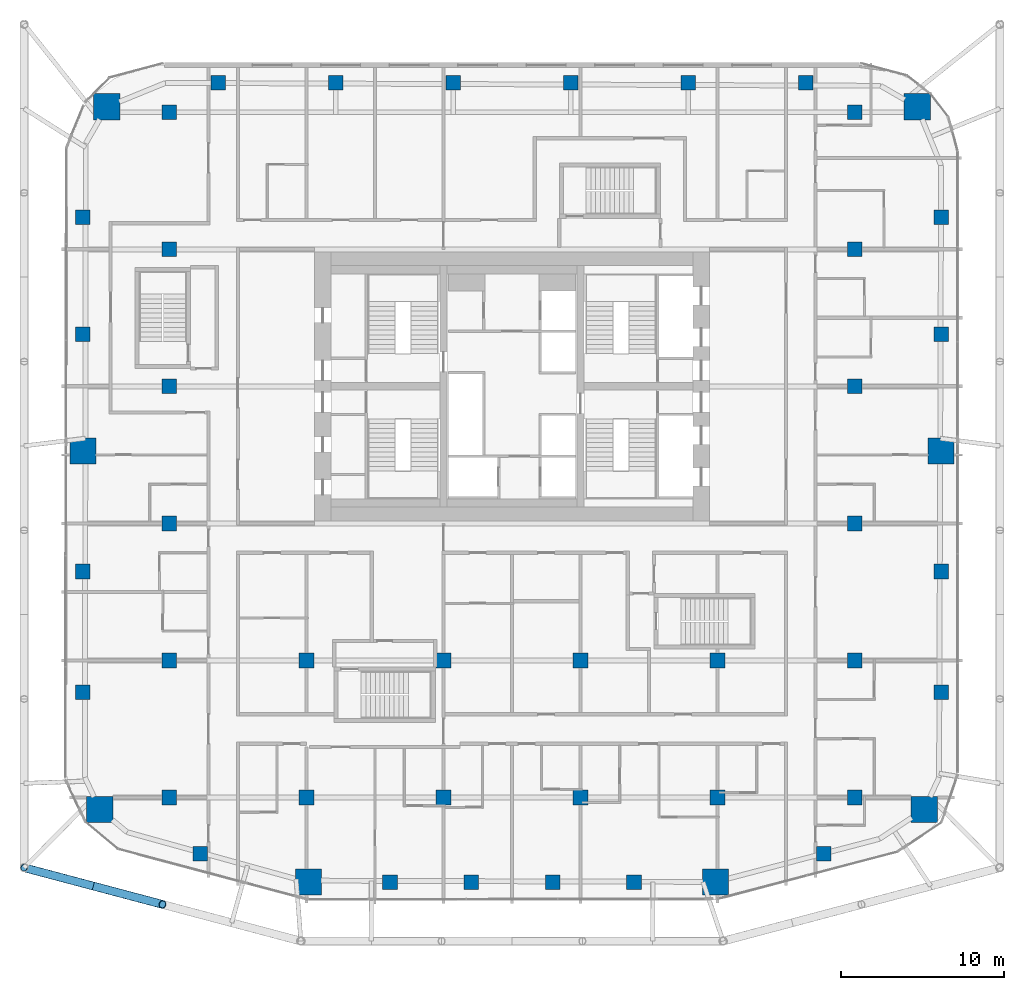
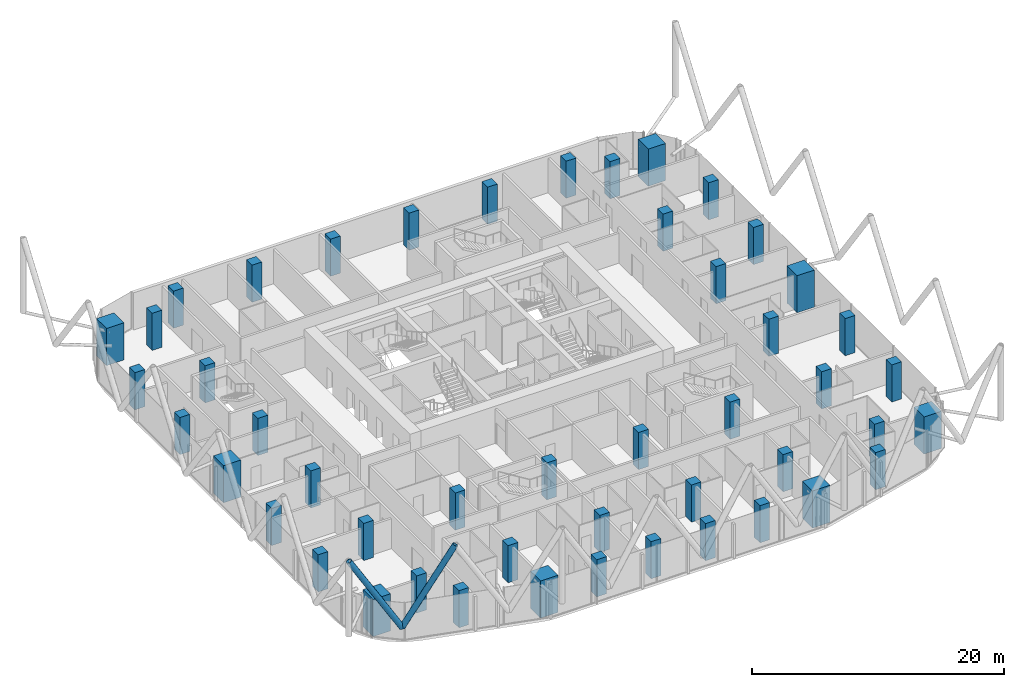
# One storey, part 1 of 36: 48 columns, 2 members.
"""IFC4 building model written with IfcOpenShell, lengths in metres."""

from ifc_helpers import new_model, si_unit, direction, frame, origin, origin_2d, place, context, subcontext, project, spatial, rectangle, hollow_circle, extrude, material, material_profile, profile_set, type_object, element, save


model = new_model("IFC4")

# Units and contexts
model_context = context("Model", 3, precision=1e-05, world=origin(), true_north=direction((0.0, 1.0)))
body_context = subcontext(model_context, "Body", "Model", "MODEL_VIEW")
ifc_project = project(units=[si_unit("LENGTHUNIT", "METRE"), si_unit("AREAUNIT", "SQUARE_METRE"), si_unit("VOLUMEUNIT", "CUBIC_METRE"), si_unit("PLANEANGLEUNIT", "RADIAN"), si_unit("MASSUNIT", "GRAM", prefix="KILO")], contexts=[model_context])

# Site, building, storey
site_placement = place(None, origin())
site = spatial("IfcSite", under=ifc_project, at=site_placement, CompositionType="ELEMENT")
building_placement = place(site_placement, origin())
building = spatial("IfcBuilding", under=site, at=building_placement, Name="Marenta Gate Hotel Tower", CompositionType="ELEMENT")
storey_placement = place(building_placement, frame((0.0, 0.0, 158.89990234375)))
storey = spatial("IfcBuildingStorey", under=building, at=storey_placement, Name="L37", CompositionType="ELEMENT", Elevation=158.89990234375)

# Columns
ifc_material_1 = material(Name="Concrete C70", Category="concrete")
ifc_material_profile_1 = material_profile(ifc_material_1, rectangle(XDim=0.89990234375, YDim=0.89990234375, at=origin_2d()), Name="900 x 900")
ifc_profile_set_1 = profile_set([ifc_material_profile_1], Name="Concrete C70")
column_type_1 = type_object("IfcColumnType", Name="Edge column 900 x 900 C70", PredefinedType="COLUMN", material=ifc_profile_set_1)
for number, where, z_axis, x_axis, name in (
    (1, (-26.300048828125, -10.351806640625, 0.0), (0.0, 0.0, 1.0), (1.0, 0.0, 0.0), "L37-EC-SW-W-1"),
    (2, (-26.300048828125, -2.950927734375, 0.0), (0.0, 0.0, 1.0), (1.0, 0.0, 0.0), "L37-EC-SW-W-2"),
    (3, (-26.300048828125, 11.603271484375, 0.0), (0.0, 0.0, 1.0), (1.0, 0.0, 0.0), "L37-EC-W-NW-1"),
    (4, (-26.300048828125, 18.75634765625, 0.0), (0.0, 0.0, 1.0), (1.0, 0.0, 0.0), "L37-EC-W-NW-2"),
    (5, (-18.0068359375, 27.0, 0.0), (0.0, 0.0, 1.0), (1.0, 0.0, 0.0), "L37-EC-NW-NE-1"),
    (6, (-10.80419921875, 27.0, 0.0), (0.0, 0.0, 1.0), (1.0, 0.0, 0.0), "L37-EC-NW-NE-2"),
    (7, (-3.601318359375, 27.0, 0.0), (0.0, 0.0, 1.0), (1.0, 0.0, 0.0), "L37-EC-NW-NE-3"),
    (8, (3.601318359375, 27.0, 0.0), (0.0, 0.0, 1.0), (1.0, 0.0, 0.0), "L37-EC-NW-NE-4"),
    (9, (10.80419921875, 27.0, 0.0), (0.0, 0.0, 1.0), (1.0, 0.0, 0.0), "L37-EC-NW-NE-5"),
    (10, (18.0068359375, 27.0, 0.0), (0.0, 0.0, 1.0), (1.0, 0.0, 0.0), "L37-EC-NW-NE-6"),
    (11, (26.300048828125, 18.75634765625, 0.0), (0.0, 0.0, 1.0), (1.0, 0.0, 0.0), "L37-EC-NE-E-1"),
    (12, (26.300048828125, 11.603271484375, 0.0), (0.0, 0.0, 1.0), (1.0, 0.0, 0.0), "L37-EC-NE-E-2"),
    (13, (26.300048828125, -2.950927734375, 0.0), (0.0, 0.0, 1.0), (1.0, 0.0, 0.0), "L37-EC-E-SE-1"),
    (14, (26.300048828125, -10.351806640625, 0.0), (0.0, 0.0, 1.0), (1.0, 0.0, 0.0), "L37-EC-E-SE-2"),
    (15, (19.106689453125, -20.239013671875, 0.0), (0.0, 0.0, 1.0), (1.0, 0.0, 0.0), "L37-EC-SE-SKE-1"),
    (16, (7.47998046875, -22.0, 0.0), (0.0, 0.0, 1.0), (1.0, 0.0, 0.0), "L37-EC-SKE-SKW-1"),
    (17, (2.493408203125, -22.0, 0.0), (0.0, 0.0, 1.0), (1.0, 0.0, 0.0), "L37-EC-SKE-SKW-2"),
    (18, (-2.493408203125, -22.0, 0.0), (0.0, 0.0, 1.0), (1.0, 0.0, 0.0), "L37-EC-SKE-SKW-3"),
    (19, (-7.47998046875, -22.0, 0.0), (0.0, 0.0, 1.0), (1.0, 0.0, 0.0), "L37-EC-SKE-SKW-4"),
    (20, (-19.106689453125, -20.239013671875, 0.0), (0.0, 0.0, 1.0), (1.0, 0.0, 0.0), "L37-EC-SKW-SW-1"),
):
    element("IfcColumn", number, at=place(storey_placement, frame(where, z_axis=z_axis, x_axis=x_axis)), inside=storey, type_object=column_type_1, Name=name, PredefinedType="COLUMN", context=body_context, shape_type="SweptSolid", body=[
        extrude(rectangle(XDim=0.89990234375, YDim=0.89990234375, at=origin_2d()), origin(), (0.0, 0.0, 1.0), 3.60009765625),
    ])
ifc_material_2 = material(Name="Concrete C70", Category="concrete")
ifc_material_profile_2 = material_profile(ifc_material_2, rectangle(XDim=0.89990234375, YDim=0.89990234375, at=origin_2d()), Name="900 x 900")
ifc_profile_set_2 = profile_set([ifc_material_profile_2], Name="Concrete C70")
column_type_2 = type_object("IfcColumnType", Name="Interior column 900 x 900 C70", PredefinedType="COLUMN", material=ifc_profile_set_2)
for number, where, z_axis, x_axis, name in (
    (21, (-21.0, -16.800048828125, 0.0), (0.0, 0.0, 1.0), (1.0, 0.0, 0.0), "L37-IC-4D"),
    (22, (-21.0, -8.39990234375, 0.0), (0.0, 0.0, 1.0), (1.0, 0.0, 0.0), "L37-IC-4E"),
    (23, (-21.0, 0.0, 0.0), (0.0, 0.0, 1.0), (1.0, 0.0, 0.0), "L37-IC-4F"),
    (24, (-21.0, 8.39990234375, 0.0), (0.0, 0.0, 1.0), (1.0, 0.0, 0.0), "L37-IC-4G"),
    (25, (-21.0, 16.800048828125, 0.0), (0.0, 0.0, 1.0), (1.0, 0.0, 0.0), "L37-IC-4H"),
    (26, (-21.0, 25.199951171875, 0.0), (0.0, 0.0, 1.0), (1.0, 0.0, 0.0), "L37-IC-4I"),
    (27, (-12.60009765625, -16.800048828125, 0.0), (0.0, 0.0, 1.0), (1.0, 0.0, 0.0), "L37-IC-5D"),
    (28, (-12.60009765625, -8.39990234375, 0.0), (0.0, 0.0, 1.0), (1.0, 0.0, 0.0), "L37-IC-5E"),
    (29, (-4.199951171875, -16.800048828125, 0.0), (0.0, 0.0, 1.0), (1.0, 0.0, 0.0), "L37-IC-6D"),
    (30, (-4.199951171875, -8.39990234375, 0.0), (0.0, 0.0, 1.0), (1.0, 0.0, 0.0), "L37-IC-6E"),
    (31, (4.199951171875, -16.800048828125, 0.0), (0.0, 0.0, 1.0), (1.0, 0.0, 0.0), "L37-IC-7D"),
    (32, (4.199951171875, -8.39990234375, 0.0), (0.0, 0.0, 1.0), (1.0, 0.0, 0.0), "L37-IC-7E"),
    (33, (12.60009765625, -16.800048828125, 0.0), (0.0, 0.0, 1.0), (1.0, 0.0, 0.0), "L37-IC-8D"),
    (34, (12.60009765625, -8.39990234375, 0.0), (0.0, 0.0, 1.0), (1.0, 0.0, 0.0), "L37-IC-8E"),
    (35, (21.0, -16.800048828125, 0.0), (0.0, 0.0, 1.0), (1.0, 0.0, 0.0), "L37-IC-9D"),
    (36, (21.0, -8.39990234375, 0.0), (0.0, 0.0, 1.0), (1.0, 0.0, 0.0), "L37-IC-9E"),
    (37, (21.0, 0.0, 0.0), (0.0, 0.0, 1.0), (1.0, 0.0, 0.0), "L37-IC-9F"),
    (38, (21.0, 8.39990234375, 0.0), (0.0, 0.0, 1.0), (1.0, 0.0, 0.0), "L37-IC-9G"),
    (39, (21.0, 16.800048828125, 0.0), (0.0, 0.0, 1.0), (1.0, 0.0, 0.0), "L37-IC-9H"),
    (40, (21.0, 25.199951171875, 0.0), (0.0, 0.0, 1.0), (1.0, 0.0, 0.0), "L37-IC-9I"),
):
    element("IfcColumn", number, at=place(storey_placement, frame(where, z_axis=z_axis, x_axis=x_axis)), inside=storey, type_object=column_type_2, Name=name, PredefinedType="COLUMN", context=body_context, shape_type="SweptSolid", body=[
        extrude(rectangle(XDim=0.89990234375, YDim=0.89990234375, at=origin_2d()), origin(), (0.0, 0.0, 1.0), 3.60009765625),
    ])
ifc_material_3 = material(Name="Concrete C70", Category="concrete")
ifc_material_profile_3 = material_profile(ifc_material_3, rectangle(XDim=1.60009765625, YDim=1.60009765625, at=origin_2d()), Name="1600 x 1600")
ifc_profile_set_3 = profile_set([ifc_material_profile_3], Name="Concrete C70")
column_type_3 = type_object("IfcColumnType", Name="Mega column 1600 x 1600 C70", PredefinedType="COLUMN", material=ifc_profile_set_3)
for number, where, z_axis, x_axis, name in (
    (41, (-25.262939453125, -17.532958984375, 0.0), (0.0, 0.0, 1.0), (1.0, 0.0, 0.0), "L37-MC-SW"),
    (42, (-12.46630859375, -21.974853515625, 0.0), (0.0, 0.0, 1.0), (1.0, 0.0, 0.0), "L37-MC-SKW"),
    (43, (12.46630859375, -21.974853515625, 0.0), (0.0, 0.0, 1.0), (1.0, 0.0, 0.0), "L37-MC-SKE"),
    (44, (25.262939453125, -17.532958984375, 0.0), (0.0, 0.0, 1.0), (1.0, 0.0, 0.0), "L37-MC-SE"),
    (45, (26.300048828125, 4.449951171875, 0.0), (0.0, 0.0, 1.0), (1.0, 0.0, 0.0), "L37-MC-E"),
    (46, (24.83544921875, 25.535400390625, 0.0), (0.0, 0.0, 1.0), (1.0, 0.0, 0.0), "L37-MC-NE"),
    (47, (-24.83544921875, 25.535400390625, 0.0), (0.0, 0.0, 1.0), (1.0, 0.0, 0.0), "L37-MC-NW"),
    (48, (-26.300048828125, 4.449951171875, 0.0), (0.0, 0.0, 1.0), (1.0, 0.0, 0.0), "L37-MC-W"),
):
    element("IfcColumn", number, at=place(storey_placement, frame(where, z_axis=z_axis, x_axis=x_axis)), inside=storey, type_object=column_type_3, Name=name, PredefinedType="COLUMN", context=body_context, shape_type="SweptSolid", body=[
        extrude(rectangle(XDim=1.60009765625, YDim=1.60009765625, at=origin_2d()), origin(), (0.0, 0.0, 1.0), 3.60009765625),
    ])

# Members
ifc_material_4 = material(Name="Steel S355J2W", Category="steel")
ifc_material_profile_4 = material_profile(ifc_material_4, hollow_circle(Radius=0.25390625, WallThickness=0.0400390625, at=origin_2d()), Name="CHS 508x40")
ifc_profile_set_4 = profile_set([ifc_material_profile_4], Name="Steel S355J2W")
member_type = type_object("IfcMemberType", Name="Diagrid diagonal Z2 CHS 508x40", PredefinedType="BRACE", material=ifc_profile_set_4)
member_1_placement = place(storey_placement, frame((-25.659912109375, -22.22509765625, 3.14013671875), z_axis=(0.502945650976, -0.133431605717, 0.853956485285), x_axis=(0.256429393985, 0.966562965306, 0.0)))
element("IfcMember", 49, at=member_1_placement, inside=storey, type_object=member_type, Name="L37-DG-23", PredefinedType="BRACE", context=body_context, shape_type="SweptSolid", body=[
    extrude(hollow_circle(Radius=0.25390625, WallThickness=0.0400390625, at=origin_2d()), origin(), (0.0, 0.0, 1.0), 8.431396484375),
])
member_2_placement = place(storey_placement, frame((-25.659912109375, -22.22509765625, 3.14013671875), z_axis=(-0.502902385412, 0.133435492139, 0.853981358218), x_axis=(-0.256456982503, -0.966555645644, 0.0)))
element("IfcMember", 50, at=member_2_placement, inside=storey, type_object=member_type, Name="L37-DG-24", PredefinedType="BRACE", context=body_context, shape_type="SweptSolid", body=[
    extrude(hollow_circle(Radius=0.25390625, WallThickness=0.0400390625, at=origin_2d()), origin(), (0.0, 0.0, 1.0), 8.43115234375),
])

save(model, "model.ifc")
